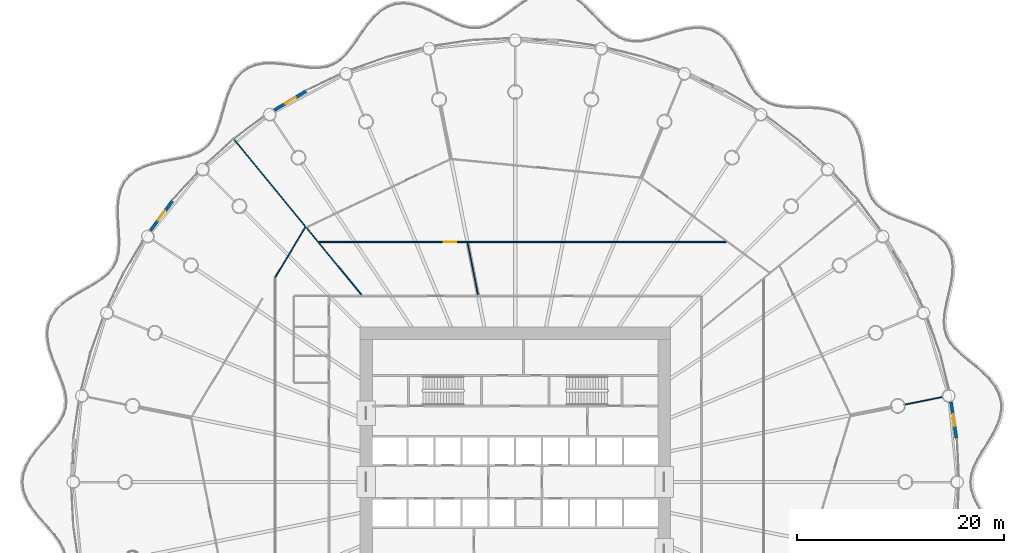
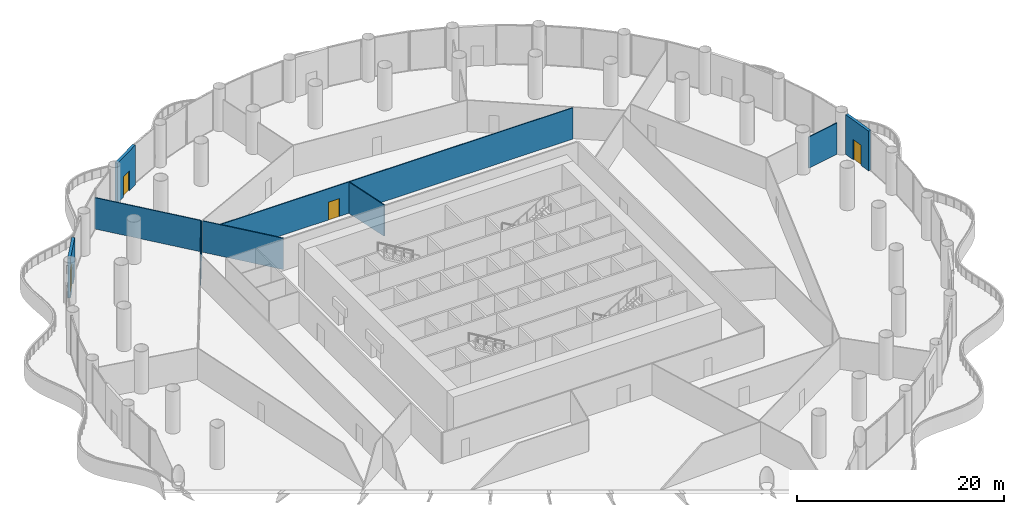
# One storey, part 26 of 35: 9 walls, 4 doors, 4 openings.
"""IFC4 building model written with IfcOpenShell, lengths in metres."""

from ifc_helpers import new_model, si_unit, direction, frame, frame_2d, origin, place, context, subcontext, project, spatial, rectangle, extrude, material, layer, layer_set, type_object, element, fill, save


model = new_model("IFC4")

# Units and contexts
model_context = context("Model", 3, precision=1e-05, world=origin(), true_north=direction((0.0, 1.0)))
body_context = subcontext(model_context, "Body", "Model", "MODEL_VIEW")
ifc_project = project(units=[si_unit("LENGTHUNIT", "METRE"), si_unit("AREAUNIT", "SQUARE_METRE"), si_unit("VOLUMEUNIT", "CUBIC_METRE"), si_unit("PLANEANGLEUNIT", "RADIAN"), si_unit("MASSUNIT", "GRAM", prefix="KILO")], contexts=[model_context])

# Site, building, storey
site_placement = place(None, origin())
site = spatial("IfcSite", under=ifc_project, at=site_placement, CompositionType="ELEMENT")
building_placement = place(site_placement, origin())
building = spatial("IfcBuilding", under=site, at=building_placement, Name="Corvane Civic Tower", CompositionType="ELEMENT")
storey_placement = place(building_placement, frame((0.0, 0.0, 22.0)))
storey = spatial("IfcBuildingStorey", under=building, at=storey_placement, Name="L04", CompositionType="ELEMENT", Elevation=22.0)

# Wall, opening, door
ifc_material_1 = material(Name="Terracotta cladding", Category="masonry")
ifc_layer_1 = layer(ifc_material_1, 0.300048828125)
ifc_layer_set_1 = layer_set([ifc_layer_1], Name="Terracotta cladding")
wall_type_1 = type_object("IfcWallType", Name="PODIUM-W-DRUMDOOR-300", PredefinedType="SOLIDWALL", material=ifc_layer_set_1)
wall_1_placement = place(storey_placement, frame((42.119384765625, 7.73388671875, 0.0), z_axis=(0.0, 0.0, 1.0), x_axis=(0.146700279714, -0.989180988461, 0.0)))
wall_1 = element("IfcWall", 1, at=wall_1_placement, inside=storey, type_object=wall_type_1, Name="L04 drum door bay wall 08", PredefinedType="SOLIDWALL", context=body_context, shape_type="SweptSolid", body=[
    extrude(rectangle(XDim=3.559814453125, YDim=0.300048828125, at=frame_2d((1.77978515625, 0.0))), origin(), (0.0, 0.0, 1.0), 4.699951171875),
])
opening_1_placement = place(wall_1_placement, frame((1.179931640625, 0.0, 0.0)))
opening_1 = element("IfcOpeningElement", 2, at=opening_1_placement, cuts=wall_1, Name="Opening ED-L04-08", PredefinedType="OPENING", context=body_context, shape_type="SweptSolid", body=[
    extrude(rectangle(XDim=1.199951171875, YDim=2.39990234375, at=frame_2d((0.60009765625, 1.199951171875))), frame((0.0, 0.159912109375, 0.0), z_axis=(0.0, -1.0, 0.0), x_axis=(1.0, 0.0, 0.0)), (0.0, 0.0, 1.0), 0.320068359375),
])
ifc_material_2 = material(Name="Anodised aluminium and glass", Category="aluminium")
door_type_1 = type_object("IfcDoorType", Name="PODIUM-D-BALCONY-1200", OperationType="SINGLE_SWING_LEFT", PredefinedType="DOOR", material=ifc_material_2)
door_1_placement = place(opening_1_placement, origin())
door_1 = element("IfcDoor", 3, at=door_1_placement, inside=storey, type_object=door_type_1, Name="L04 balcony door 08", OperationType="SINGLE_SWING_RIGHT", OverallHeight=2.39990234375, OverallWidth=1.199951171875, PredefinedType="DOOR", context=body_context, shape_type="SweptSolid", body=[
    extrude(rectangle(XDim=1.199951171875, YDim=2.39990234375, at=frame_2d((0.60009765625, 1.199951171875))), frame((0.0, 0.02490234375, 0.0), z_axis=(0.0, -1.0, 0.0), x_axis=(1.0, 0.0, 0.0)), (0.0, 0.0, 1.0), 0.050048828125),
])
fill(opening_1, door_1)

wall_2_placement = place(storey_placement, frame((-35.25146484375, 24.314208984375, 0.0), z_axis=(0.0, 0.0, 1.0), x_axis=(0.595722774963, 0.803190124061, 0.0)))
wall_2 = element("IfcWall", 4, at=wall_2_placement, inside=storey, type_object=wall_type_1, Name="L04 drum door bay wall 28", PredefinedType="SOLIDWALL", context=body_context, shape_type="SweptSolid", body=[
    extrude(rectangle(XDim=3.559814453125, YDim=0.300048828125, at=frame_2d((1.77978515625, 0.0))), origin(), (0.0, 0.0, 1.0), 4.699951171875),
])
opening_2_placement = place(wall_2_placement, frame((1.179931640625, 0.0, 0.0)))
opening_2 = element("IfcOpeningElement", 5, at=opening_2_placement, cuts=wall_2, Name="Opening ED-L04-28", PredefinedType="OPENING", context=body_context, shape_type="SweptSolid", body=[
    extrude(rectangle(XDim=1.199951171875, YDim=2.39990234375, at=frame_2d((0.60009765625, 1.199951171875))), frame((0.0, 0.159912109375, 0.0), z_axis=(0.0, -1.0, 0.0), x_axis=(1.0, 0.0, 0.0)), (0.0, 0.0, 1.0), 0.320068359375),
])
door_2_placement = place(opening_2_placement, origin())
door_2 = element("IfcDoor", 6, at=door_2_placement, inside=storey, type_object=door_type_1, Name="L04 balcony door 28", OperationType="SINGLE_SWING_RIGHT", OverallHeight=2.39990234375, OverallWidth=1.199951171875, PredefinedType="DOOR", context=body_context, shape_type="SweptSolid", body=[
    extrude(rectangle(XDim=1.199951171875, YDim=2.39990234375, at=frame_2d((0.60009765625, 1.199951171875))), frame((0.0, 0.02490234375, 0.0), z_axis=(0.0, -1.0, 0.0), x_axis=(1.0, 0.0, 0.0)), (0.0, 0.0, 1.0), 0.050048828125),
])
fill(opening_2, door_2)

wall_3_placement = place(storey_placement, frame((-23.26318359375, 35.95361328125, 0.0), z_axis=(0.0, 0.0, 1.0), x_axis=(0.85770467182, 0.514142680525, 0.0)))
wall_3 = element("IfcWall", 7, at=wall_3_placement, inside=storey, type_object=wall_type_1, Name="L04 drum door bay wall 30", PredefinedType="SOLIDWALL", context=body_context, shape_type="SweptSolid", body=[
    extrude(rectangle(XDim=3.5595703125, YDim=0.300048828125, at=frame_2d((1.77978515625, 0.0))), origin(), (0.0, 0.0, 1.0), 4.699951171875),
])
opening_3_placement = place(wall_3_placement, frame((1.179931640625, 0.0, 0.0)))
opening_3 = element("IfcOpeningElement", 8, at=opening_3_placement, cuts=wall_3, Name="Opening ED-L04-30", PredefinedType="OPENING", context=body_context, shape_type="SweptSolid", body=[
    extrude(rectangle(XDim=1.199951171875, YDim=2.39990234375, at=frame_2d((0.60009765625, 1.199951171875))), frame((0.0, 0.159912109375, 0.0), z_axis=(0.0, -1.0, 0.0), x_axis=(1.0, 0.0, 0.0)), (0.0, 0.0, 1.0), 0.320068359375),
])
door_3_placement = place(opening_3_placement, origin())
door_3 = element("IfcDoor", 9, at=door_3_placement, inside=storey, type_object=door_type_1, Name="L04 balcony door 30", OperationType="SINGLE_SWING_RIGHT", OverallHeight=2.39990234375, OverallWidth=1.199951171875, PredefinedType="DOOR", context=body_context, shape_type="SweptSolid", body=[
    extrude(rectangle(XDim=1.199951171875, YDim=2.39990234375, at=frame_2d((0.60009765625, 1.199951171875))), frame((0.0, 0.02490234375, 0.0), z_axis=(0.0, -1.0, 0.0), x_axis=(1.0, 0.0, 0.0)), (0.0, 0.0, 1.0), 0.050048828125),
])
fill(opening_3, door_3)

# Walls
ifc_material_3 = material(Name="Plasterboard")
ifc_layer_2 = layer(ifc_material_3, 0.10009765625)
ifc_layer_set_2 = layer_set([ifc_layer_2], Name="Plasterboard")
wall_type_2 = type_object("IfcWallType", Name="Partition 100 plasterboard on studs", PredefinedType="PARTITIONING", material=ifc_layer_set_2)
wall_4_placement = place(storey_placement, frame((37.671875, 7.493408203125, 0.0), z_axis=(0.0, 0.0, 1.0), x_axis=(0.980784256727, 0.195095468315, 0.0)))
element("IfcWall", 10, at=wall_4_placement, inside=storey, type_object=wall_type_2, Name="Partition L04.028", PredefinedType="PARTITIONING", context=body_context, shape_type="SweptSolid", body=[
    extrude(rectangle(XDim=3.680419921875, YDim=0.10009765625, at=frame_2d((1.84033203125, 0.0))), origin(), (0.0, 0.0, 1.0), 3.699951171875),
])
wall_5_placement = place(storey_placement, frame((-4.602783203125, 23.14013671875, 0.0), z_axis=(0.0, 0.0, 1.0), x_axis=(0.195050300092, -0.98079324041, 0.0)))
element("IfcWall", 11, at=wall_5_placement, inside=storey, type_object=wall_type_2, Name="Partition L04.036", PredefinedType="PARTITIONING", context=body_context, shape_type="SweptSolid", body=[
    extrude(rectangle(XDim=5.154541015625, YDim=0.10009765625, at=frame_2d((2.5771484375, 0.0))), origin(), (0.0, 0.0, 1.0), 3.699951171875),
])
wall_6_placement = place(storey_placement, frame((-20.152099609375, 24.555419921875, 0.0), z_axis=(0.0, 0.0, 1.0), x_axis=(0.634386121631, -0.773016331446, 0.0)))
element("IfcWall", 12, at=wall_6_placement, inside=storey, type_object=wall_type_2, Name="Partition L04.037", PredefinedType="PARTITIONING", context=body_context, shape_type="SweptSolid", body=[
    extrude(rectangle(XDim=8.34228515625, YDim=0.10009765625, at=frame_2d((4.171142578125, 0.0))), origin(), (0.0, 0.0, 1.0), 3.699951171875),
])
wall_7_placement = place(storey_placement, frame((-23.19287109375, 19.79541015625, 0.0), z_axis=(0.0, 0.0, 1.0), x_axis=(0.514083997217, 0.857739846227, 0.0)))
element("IfcWall", 13, at=wall_7_placement, inside=storey, type_object=wall_type_2, Name="Partition L04.038", PredefinedType="PARTITIONING", context=body_context, shape_type="SweptSolid", body=[
    extrude(rectangle(XDim=5.66845703125, YDim=0.10009765625, at=frame_2d((2.834228515625, 0.0))), origin(), (0.0, 0.0, 1.0), 3.699951171875),
])

# Wall, opening, door
wall_8_placement = place(storey_placement, frame((-18.93408203125, 23.199951171875, 0.0), z_axis=(0.0, 0.0, 1.0), x_axis=(1.0, 0.0, 0.0)))
wall_8 = element("IfcWall", 14, at=wall_8_placement, inside=storey, type_object=wall_type_2, Name="Partition L04.040", PredefinedType="PARTITIONING", context=body_context, shape_type="SweptSolid", body=[
    extrude(rectangle(XDim=39.343994140625, YDim=0.10009765625, at=frame_2d((19.671875, 0.0))), origin(), (0.0, 0.0, 1.0), 3.699951171875),
])
opening_4_placement = place(wall_8_placement, frame((12.02392578125, 0.0, 0.0)))
opening_4 = element("IfcOpeningElement", 15, at=opening_4_placement, cuts=wall_8, Name="Opening L04.010", PredefinedType="OPENING", context=body_context, shape_type="SweptSolid", body=[
    extrude(rectangle(XDim=1.199951171875, YDim=2.10009765625, at=frame_2d((0.60009765625, 1.050048828125))), frame((0.0, 0.06005859375, 0.0), z_axis=(0.0, -1.0, 0.0), x_axis=(1.0, 0.0, 0.0)), (0.0, 0.0, 1.0), 0.1201171875),
])
ifc_material_4 = material(Name="Timber", Category="wood")
door_type_2 = type_object("IfcDoorType", Name="Double door 1200", OperationType="NOTDEFINED", PredefinedType="DOOR", material=ifc_material_4)
door_4_placement = place(opening_4_placement, origin())
door_4 = element("IfcDoor", 16, at=door_4_placement, inside=storey, type_object=door_type_2, Name="Door L04.010", OperationType="DOUBLE_DOOR_SINGLE_SWING", OverallHeight=2.10009765625, OverallWidth=1.199951171875, PredefinedType="DOOR", context=body_context, shape_type="SweptSolid", body=[
    extrude(rectangle(XDim=1.199951171875, YDim=2.10009765625, at=frame_2d((0.60009765625, 1.050048828125))), frame((0.0, 0.02490234375, 0.0), z_axis=(0.0, -1.0, 0.0), x_axis=(1.0, 0.0, 0.0)), (0.0, 0.0, 1.0), 0.050048828125),
])
fill(opening_4, door_4)

# Wall
wall_9_placement = place(storey_placement, frame((-27.247314453125, 33.200927734375, 0.0), z_axis=(0.0, 0.0, 1.0), x_axis=(0.634403797854, -0.77300182488, 0.0)))
element("IfcWall", 17, at=wall_9_placement, inside=storey, type_object=wall_type_2, Name="Partition L04.042", PredefinedType="PARTITIONING", context=body_context, shape_type="SweptSolid", body=[
    extrude(rectangle(XDim=10.984619140625, YDim=0.10009765625, at=frame_2d((5.4921875, 0.0))), origin(), (0.0, 0.0, 1.0), 3.699951171875),
])

save(model, "model.ifc")
